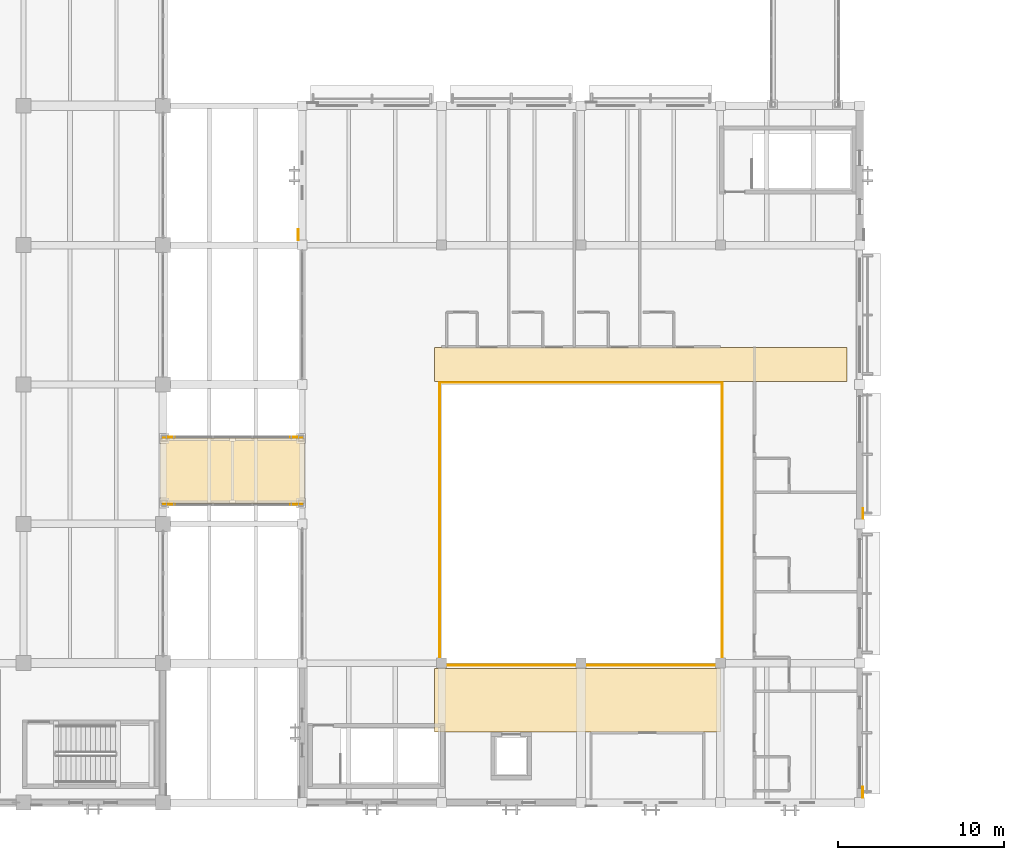
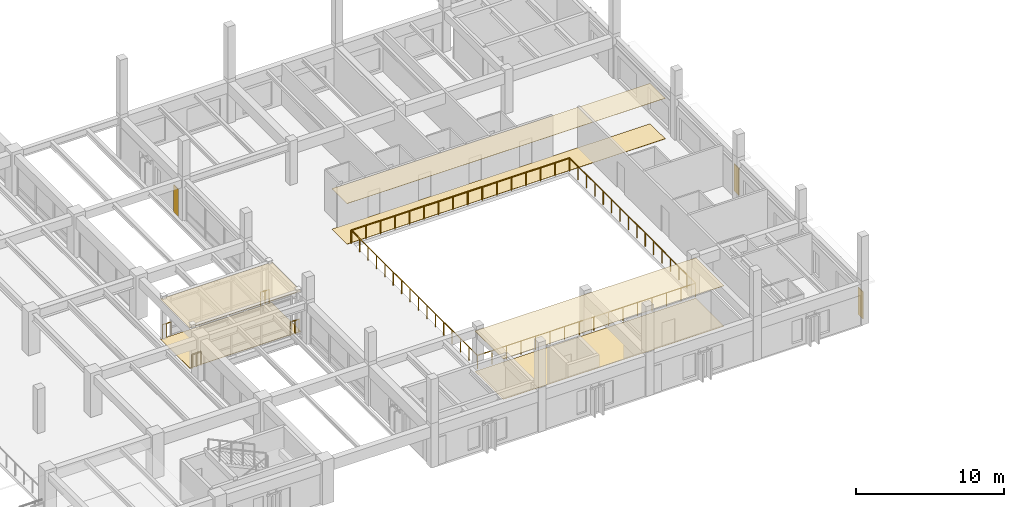
# One storey, part 96 of 118: 9 coverings, 8 railings.
"""IFC4 building model written with IfcOpenShell, lengths in metres."""

import ifcopenshell
import ifcopenshell.guid

model = None  # the IFC model being written
_history = None  # IfcOwnerHistory: only IFC2X3 demands one
_inside = {}  # id of a spatial element -> (the spatial element, [elements in it])
_under = {}  # id of a project, library or spatial element -> (it, [spatial elements below it])
_declared = {}  # id of a project -> (the project, [libraries it declares])
_typed = {}  # id of a type object -> (the type object, [elements of that type])
_made_of = {}  # id of a material, layer set ... -> (it, [elements and type objects made of it])


def new_model(schema):
    """Start an empty IFC model of exactly this schema.

    Asked for "IFC4X3", IfcOpenShell would pick the latest addendum, in which some entities
    have other attributes; the version numbers below select the first issue.
    IFC2X3 requires an IfcOwnerHistory on every rooted entity: one is made here for all.
    """
    global model, _history
    if schema == "IFC4X3":
        model = ifcopenshell.file(schema_version=(4, 3, 0, 0))
    else:
        model = ifcopenshell.file(schema=schema)
    _inside.clear()
    _under.clear()
    _declared.clear()
    _typed.clear()
    _made_of.clear()
    _history = None
    if model.schema == "IFC2X3":
        org = make("IfcOrganization", Name="unknown")
        user = make(
            "IfcPersonAndOrganization",
            ThePerson=make("IfcPerson", FamilyName="unknown"),
            TheOrganization=org,
        )
        app = make(
            "IfcApplication",
            ApplicationDeveloper=org,
            Version="unknown",
            ApplicationFullName="unknown",
            ApplicationIdentifier="unknown",
        )
        _history = make(
            "IfcOwnerHistory",
            OwningUser=user,
            OwningApplication=app,
            ChangeAction="ADDED",
            CreationDate=0,
        )
    return model


def make(cls, **values):
    """One entity of the class cls with the attributes given. An attribute that is None is left unset."""
    return model.create_entity(
        cls, **{name: value for name, value in values.items() if value is not None}
    )


def rooted(cls, **values):
    """An entity with a GlobalId (a new one), such as an element, a storey or a relation."""
    return make(cls, GlobalId=ifcopenshell.guid.new(), OwnerHistory=_history, **values)


def si_unit(unit_type, name, prefix=None):
    """IfcSIUnit, for example si_unit("LENGTHUNIT", "METRE", prefix="MILLI")."""
    return make("IfcSIUnit", UnitType=unit_type, Prefix=prefix, Name=name)


def assignment(units):
    """IfcUnitAssignment: the units of a project."""
    return None if units is None else make("IfcUnitAssignment", Units=units)


def point(xyz):
    """IfcCartesianPoint."""
    return None if xyz is None else make("IfcCartesianPoint", Coordinates=xyz)


def direction(xyz):
    """IfcDirection."""
    return None if xyz is None else make("IfcDirection", DirectionRatios=xyz)


def frame(location, z_axis=None, x_axis=None):
    """IfcAxis2Placement3D, a coordinate frame: its origin and axes. An axis left out is left unset."""
    return make(
        "IfcAxis2Placement3D",
        Location=point(location),
        Axis=direction(z_axis),
        RefDirection=direction(x_axis),
    )


def frame_2d(location, x_axis=None):
    """IfcAxis2Placement2D, a coordinate frame in the plane: its origin and x axis."""
    return make(
        "IfcAxis2Placement2D", Location=point(location), RefDirection=direction(x_axis)
    )


def origin():
    """The frame at (0, 0, 0) with its axes left unset."""
    return frame((0.0, 0.0, 0.0))


def origin_2d():
    """The frame at (0, 0) in the plane with its x axis left unset."""
    return frame_2d((0.0, 0.0))


def place(relative_to, where):
    """IfcLocalPlacement: puts the frame where relative to a parent placement (None: the world)."""
    return make(
        "IfcLocalPlacement", PlacementRelTo=relative_to, RelativePlacement=where
    )


def context(
    kind, dimensions, precision=None, world=None, true_north=None, identifier=None
):
    """IfcGeometricRepresentationContext, for example the 3D "Model" context."""
    return make(
        "IfcGeometricRepresentationContext",
        ContextIdentifier=identifier,
        ContextType=kind,
        CoordinateSpaceDimension=dimensions,
        Precision=precision,
        WorldCoordinateSystem=world,
        TrueNorth=true_north,
    )


def subcontext(parent, identifier, kind, view, scale=None):
    """IfcGeometricRepresentationSubContext, for example "Body" below "Model"."""
    return make(
        "IfcGeometricRepresentationSubContext",
        ContextIdentifier=identifier,
        ContextType=kind,
        ParentContext=parent,
        TargetScale=scale,
        TargetView=view,
    )


def project(units=None, contexts=None):
    """IfcProject with its units and contexts."""
    return rooted(
        "IfcProject",
        Name="project",
        RepresentationContexts=contexts,
        UnitsInContext=assignment(units),
    )


def spatial(cls, under=None, at=None, **own):
    """A site, building, storey or space (cls), placed at a placement, below another one or the project."""
    s = rooted(cls, ObjectPlacement=at, **own)
    if under is not None:
        _under.setdefault(under.id(), (under, []))[1].append(s)
    return s


def polyline(points):
    """IfcPolyline through the points."""
    return make("IfcPolyline", Points=[point(p) for p in points])


def profile(cls, at=None, kind="AREA", **sizes):
    """A parametric profile (cls). Its sizes go by their IFC names, for example OverallWidth=200.0."""
    return make(cls, ProfileType=kind, Position=at, **sizes)


def circle(**sizes):
    """IfcCircleProfileDef."""
    return profile("IfcCircleProfileDef", **sizes)


def outline(outer, holes=None, kind="AREA"):
    """IfcArbitraryClosedProfileDef: a profile drawn as a closed curve; with holes, ...WithVoids."""
    if holes is None:
        return make("IfcArbitraryClosedProfileDef", ProfileType=kind, OuterCurve=outer)
    return make(
        "IfcArbitraryProfileDefWithVoids",
        ProfileType=kind,
        OuterCurve=outer,
        InnerCurves=holes,
    )


def extrude(swept, where, along, depth):
    """IfcExtrudedAreaSolid: the profile swept, set in the frame where, extruded along a direction by depth."""
    return make(
        "IfcExtrudedAreaSolid",
        SweptArea=swept,
        Position=where,
        ExtrudedDirection=direction(along),
        Depth=depth,
    )


def shape(context_of_items, identifier, shape_type, items):
    """IfcShapeRepresentation: the items that make up one representation, for example the "Body"."""
    return make(
        "IfcShapeRepresentation",
        ContextOfItems=context_of_items,
        RepresentationIdentifier=identifier,
        RepresentationType=shape_type,
        Items=items,
    )


def material(Name=None, Category=None):
    """IfcMaterial."""
    return make("IfcMaterial", Name=Name, Category=Category)


def layer(
    of_material, thickness, ventilated=None, Name=None, Category=None, Priority=None
):
    """IfcMaterialLayer: one layer of a wall or slab, of a material (None: an air gap)."""
    return make(
        "IfcMaterialLayer",
        Material=of_material,
        LayerThickness=thickness,
        IsVentilated=ventilated,
        Name=Name,
        Category=Category,
        Priority=Priority,
    )


def layer_set(layers, Name=None):
    """IfcMaterialLayerSet."""
    return make("IfcMaterialLayerSet", MaterialLayers=layers, LayerSetName=Name)


def made_of(thing, what):
    """Note that an element or type object is made of a material, layer set ...; save() writes the relation."""
    if what is not None:
        _made_of.setdefault(what.id(), (what, []))[1].append(thing)
    return thing


def type_object(cls, material=None, **own):
    """A type object (cls), such as IfcWallType, which elements share."""
    return made_of(rooted(cls, **own), material)


def element(
    cls,
    number,
    at=None,
    inside=None,
    cuts=None,
    type_object=None,
    material=None,
    context=None,
    identifier="Body",
    shape_type=None,
    held_by="IfcProductDefinitionShape",
    body=None,
    shapes=None,
    **own,
):
    """One element of the class cls, such as IfcWall. Its Tag is "e" and its number.

    at: its placement. inside: the storey or other place that contains it. cuts: it is an
    opening in that element (IfcRelVoidsElement). A single representation is given by context,
    identifier, shape_type and body (its items); several are given by shapes. held_by: the class
    of the entity that holds the representations. save() writes the other relations.
    """
    e = rooted(cls, Tag="e%d" % number, ObjectPlacement=at, **own)
    if body is not None:
        shapes = [shape(context, identifier, shape_type, body)]
    if shapes is not None:
        e.Representation = make(held_by, Representations=shapes)
    if inside is not None:
        _inside.setdefault(inside.id(), (inside, []))[1].append(e)
    if cuts is not None:
        rooted(
            "IfcRelVoidsElement", RelatingBuildingElement=cuts, RelatedOpeningElement=e
        )
    if type_object is not None:
        _typed.setdefault(type_object.id(), (type_object, []))[1].append(e)
    return made_of(e, material)


def aggregate(whole, parts):
    """IfcRelAggregates: a whole, such as a stair, and the parts it consists of."""
    return rooted("IfcRelAggregates", RelatingObject=whole, RelatedObjects=parts)


def save(model, path):
    """Write the relations noted so far, then the file.

    IfcRelAggregates (storeys below a building ...), IfcRelContainedInSpatialStructure (elements
    in a storey), IfcRelDefinesByType, IfcRelAssociatesMaterial and IfcRelDeclares: one each for
    every whole, place, type object, material and project.
    """
    for whole, parts in _under.values():
        aggregate(whole, parts)
    for where, things in _inside.values():
        rooted(
            "IfcRelContainedInSpatialStructure",
            RelatedElements=things,
            RelatingStructure=where,
        )
    for kind, things in _typed.values():
        rooted("IfcRelDefinesByType", RelatedObjects=things, RelatingType=kind)
    for what, things in _made_of.values():
        rooted("IfcRelAssociatesMaterial", RelatedObjects=things, RelatingMaterial=what)
    for by, libraries in _declared.values():
        rooted("IfcRelDeclares", RelatingContext=by, RelatedDefinitions=libraries)
    model.write(path)


model = new_model("IFC4")

# Units and contexts
model_context = context("Model", 3, precision=1e-05, world=origin(), true_north=direction((0.0, 1.0)))
body_context = subcontext(model_context, "Body", "Model", "MODEL_VIEW")
ifc_project = project(units=[si_unit("LENGTHUNIT", "METRE"), si_unit("AREAUNIT", "SQUARE_METRE"), si_unit("VOLUMEUNIT", "CUBIC_METRE"), si_unit("PLANEANGLEUNIT", "RADIAN"), si_unit("MASSUNIT", "GRAM", prefix="KILO")], contexts=[model_context])

# Site, building, storey
site_placement = place(None, origin())
site = spatial("IfcSite", under=ifc_project, at=site_placement, CompositionType="ELEMENT")
building_placement = place(site_placement, origin())
building = spatial("IfcBuilding", under=site, at=building_placement, Name="Cumbredor Promenade Congress Hotel", CompositionType="ELEMENT")
storey_placement = place(building_placement, frame((0.0, 0.0, 3.919921875)))
storey = spatial("IfcBuildingStorey", under=building, at=storey_placement, Name="L01", CompositionType="ELEMENT", Elevation=3.919921875)

# Coverings
ifc_material_1 = material(Name="Acoustic mineral-fiber and gypsum ceiling")
ifc_layer_1 = layer(ifc_material_1, 0.02197265625, Name="Acoustic mineral-fiber and gypsum ceiling")
ifc_layer_set_1 = layer_set([ifc_layer_1], Name="Acoustic mineral-fiber and gypsum ceiling")
covering_type_1 = type_object("IfcCoveringType", Name="Acoustic Perforated Gypsum Ceiling CLG-02 22mm", PredefinedType="CEILING", material=ifc_layer_set_1)
covering_1_placement = place(storey_placement, frame((0.0, 0.0, 3.338134765625)))
element("IfcCovering", 1, at=covering_1_placement, inside=storey, type_object=covering_type_1, Name="L01 Spa Lift Lobby and South Gallery Corridor Acoustic Ceiling", PredefinedType="CEILING", context=body_context, shape_type="SweptSolid", body=[
    extrude(outline(polyline([(83.580078125, 12.659912109375), (83.580078125, 16.469970703125), (100.820068359375, 16.469970703125), (100.820068359375, 12.659912109375), (83.580078125, 12.659912109375)])), origin(), (0.0, 0.0, 1.0), 0.02197265625),
])
covering_2_placement = place(storey_placement, frame((0.0, 0.0, 3.338134765625)))
element("IfcCovering", 2, at=covering_2_placement, inside=storey, type_object=covering_type_1, Name="L01 Spa Wellness Suites Corridor Acoustic Ceiling", PredefinedType="CEILING", context=body_context, shape_type="SweptSolid", body=[
    extrude(outline(polyline([(83.580078125, 33.780029296875), (83.580078125, 35.820068359375), (108.419921875, 35.820068359375), (108.419921875, 33.780029296875), (83.580078125, 33.780029296875)])), origin(), (0.0, 0.0, 1.0), 0.02197265625),
])
ifc_layer_2 = layer(ifc_material_1, 0.031982421875, Name="Acoustic mineral-fiber and gypsum ceiling")
ifc_layer_set_2 = layer_set([ifc_layer_2], Name="Acoustic mineral-fiber and gypsum ceiling")
covering_type_2 = type_object("IfcCoveringType", Name="Acoustic Perforated Gypsum Ceiling CLG-04 32mm", PredefinedType="CEILING", material=ifc_layer_set_2)
covering_3_placement = place(storey_placement, frame((0.0, 0.0, 3.328125)))
element("IfcCovering", 3, at=covering_3_placement, inside=storey, type_object=covering_type_2, Name="L01 Central Plenary-to-Spa Pool Bridge Concourse Acoustic Ceiling", PredefinedType="CEILING", context=body_context, shape_type="SweptSolid", body=[
    extrude(outline(polyline([(67.06005859375, 26.429931640625), (67.06005859375, 30.3701171875), (75.739990234375, 30.3701171875), (75.739990234375, 26.429931640625), (67.06005859375, 26.429931640625)])), origin(), (0.0, 0.0, 1.0), 0.031982421875),
])
ifc_material_2 = material(Name="Precast concrete C40/50", Category="concrete")
ifc_layer_3 = layer(ifc_material_2, 0.044921875, Name="Precast concrete C40/50", Category="concrete")
ifc_layer_set_3 = layer_set([ifc_layer_3], Name="Precast concrete C40/50")
covering_type_3 = type_object("IfcCoveringType", Name="Board-Formed Architectural Cladding Panel 45mm", PredefinedType="CLADDING", material=ifc_layer_set_3)
covering_4_placement = place(storey_placement, origin())
element("IfcCovering", 4, at=covering_4_placement, inside=storey, type_object=covering_type_3, Name="L01 Facade Stone Cladding Pier 068", PredefinedType="CLADDING", context=body_context, shape_type="SweptSolid", body=[
    extrude(outline(polyline([(109.362548828125, 8.700927734375), (109.362548828125, 9.35107421875), (109.407470703125, 9.35107421875), (109.407470703125, 8.700927734375), (109.362548828125, 8.700927734375)])), origin(), (0.0, 0.0, 1.0), 2.25),
])

# Railings
ifc_material_3 = material(Name="Brushed stainless steel", Category="steel")
railing_type_1 = type_object("IfcRailingType", Name="Interior Void & Stair Guardrail GR-1100", PredefinedType="GUARDRAIL", material=ifc_material_3)
railing_1_placement = place(storey_placement, frame((83.8798828125, 16.679931640625, 0.0)))
element("IfcRailing", 5, at=railing_1_placement, inside=storey, type_object=railing_type_1, Name="L01 v3_spa_pool_void Void Perimeter Guardrail 1", PredefinedType="GUARDRAIL", context=body_context, shape_type="SweptSolid", body=[
    extrude(circle(Radius=0.02392578125, at=origin_2d()), frame((0.0, 0.0, 1.09619140625), z_axis=(1.0, 0.0, 0.0), x_axis=(0.0, 1.0, 0.0)), (0.0, 0.0, 1.0), 17.0400390625),
    extrude(circle(Radius=0.02099609375, at=origin_2d()), origin(), (0.0, 0.0, 1.0), 1.072021484375),
    extrude(circle(Radius=0.02099609375, at=origin_2d()), frame((1.135986328125, 0.0, 0.0)), (0.0, 0.0, 1.0), 1.072021484375),
    extrude(circle(Radius=0.02099609375, at=origin_2d()), frame((2.27197265625, 0.0, 0.0)), (0.0, 0.0, 1.0), 1.072021484375),
    extrude(circle(Radius=0.02099609375, at=origin_2d()), frame((3.407958984375, 0.0, 0.0)), (0.0, 0.0, 1.0), 1.072021484375),
    extrude(circle(Radius=0.02099609375, at=origin_2d()), frame((4.5439453125, 0.0, 0.0)), (0.0, 0.0, 1.0), 1.072021484375),
    extrude(circle(Radius=0.02099609375, at=origin_2d()), frame((5.679931640625, 0.0, 0.0)), (0.0, 0.0, 1.0), 1.072021484375),
    extrude(circle(Radius=0.02099609375, at=origin_2d()), frame((6.81591796875, 0.0, 0.0)), (0.0, 0.0, 1.0), 1.072021484375),
    extrude(circle(Radius=0.02099609375, at=origin_2d()), frame((7.951904296875, 0.0, 0.0)), (0.0, 0.0, 1.0), 1.072021484375),
    extrude(circle(Radius=0.02099609375, at=origin_2d()), frame((9.088134765625, 0.0, 0.0)), (0.0, 0.0, 1.0), 1.072021484375),
    extrude(circle(Radius=0.02099609375, at=origin_2d()), frame((10.22412109375, 0.0, 0.0)), (0.0, 0.0, 1.0), 1.072021484375),
    extrude(circle(Radius=0.02099609375, at=origin_2d()), frame((11.360107421875, 0.0, 0.0)), (0.0, 0.0, 1.0), 1.072021484375),
    extrude(circle(Radius=0.02099609375, at=origin_2d()), frame((12.49609375, 0.0, 0.0)), (0.0, 0.0, 1.0), 1.072021484375),
    extrude(circle(Radius=0.02099609375, at=origin_2d()), frame((13.632080078125, 0.0, 0.0)), (0.0, 0.0, 1.0), 1.072021484375),
    extrude(circle(Radius=0.02099609375, at=origin_2d()), frame((14.76806640625, 0.0, 0.0)), (0.0, 0.0, 1.0), 1.072021484375),
    extrude(circle(Radius=0.02099609375, at=origin_2d()), frame((15.904052734375, 0.0, 0.0)), (0.0, 0.0, 1.0), 1.072021484375),
    extrude(circle(Radius=0.02099609375, at=origin_2d()), frame((17.0400390625, 0.0, 0.0)), (0.0, 0.0, 1.0), 1.072021484375),
])
railing_2_placement = place(storey_placement, frame((100.919921875, 16.679931640625, 0.0)))
element("IfcRailing", 6, at=railing_2_placement, inside=storey, type_object=railing_type_1, Name="L01 v3_spa_pool_void Void Perimeter Guardrail 2", PredefinedType="GUARDRAIL", context=body_context, shape_type="SweptSolid", body=[
    extrude(circle(Radius=0.02392578125, at=origin_2d()), frame((0.0, 0.0, 1.09619140625), z_axis=(0.0, 1.0, 0.0), x_axis=(-1.0, 0.0, 0.0)), (0.0, 0.0, 1.0), 17.0400390625),
    extrude(circle(Radius=0.02099609375, at=origin_2d()), origin(), (0.0, 0.0, 1.0), 1.072021484375),
    extrude(circle(Radius=0.02099609375, at=origin_2d()), frame((0.0, 1.135986328125, 0.0)), (0.0, 0.0, 1.0), 1.072021484375),
    extrude(circle(Radius=0.02099609375, at=origin_2d()), frame((0.0, 2.27197265625, 0.0)), (0.0, 0.0, 1.0), 1.072021484375),
    extrude(circle(Radius=0.02099609375, at=origin_2d()), frame((0.0, 3.407958984375, 0.0)), (0.0, 0.0, 1.0), 1.072021484375),
    extrude(circle(Radius=0.02099609375, at=origin_2d()), frame((0.0, 4.5439453125, 0.0)), (0.0, 0.0, 1.0), 1.072021484375),
    extrude(circle(Radius=0.02099609375, at=origin_2d()), frame((0.0, 5.679931640625, 0.0)), (0.0, 0.0, 1.0), 1.072021484375),
    extrude(circle(Radius=0.02099609375, at=origin_2d()), frame((0.0, 6.81591796875, 0.0)), (0.0, 0.0, 1.0), 1.072021484375),
    extrude(circle(Radius=0.02099609375, at=origin_2d()), frame((0.0, 7.951904296875, 0.0)), (0.0, 0.0, 1.0), 1.072021484375),
    extrude(circle(Radius=0.02099609375, at=origin_2d()), frame((0.0, 9.088134765625, 0.0)), (0.0, 0.0, 1.0), 1.072021484375),
    extrude(circle(Radius=0.02099609375, at=origin_2d()), frame((0.0, 10.22412109375, 0.0)), (0.0, 0.0, 1.0), 1.072021484375),
    extrude(circle(Radius=0.02099609375, at=origin_2d()), frame((0.0, 11.360107421875, 0.0)), (0.0, 0.0, 1.0), 1.072021484375),
    extrude(circle(Radius=0.02099609375, at=origin_2d()), frame((0.0, 12.49609375, 0.0)), (0.0, 0.0, 1.0), 1.072021484375),
    extrude(circle(Radius=0.02099609375, at=origin_2d()), frame((0.0, 13.632080078125, 0.0)), (0.0, 0.0, 1.0), 1.072021484375),
    extrude(circle(Radius=0.02099609375, at=origin_2d()), frame((0.0, 14.76806640625, 0.0)), (0.0, 0.0, 1.0), 1.072021484375),
    extrude(circle(Radius=0.02099609375, at=origin_2d()), frame((0.0, 15.904052734375, 0.0)), (0.0, 0.0, 1.0), 1.072021484375),
    extrude(circle(Radius=0.02099609375, at=origin_2d()), frame((0.0, 17.0400390625, 0.0)), (0.0, 0.0, 1.0), 1.072021484375),
])
railing_3_placement = place(storey_placement, frame((100.919921875, 33.719970703125, 0.0)))
element("IfcRailing", 7, at=railing_3_placement, inside=storey, type_object=railing_type_1, Name="L01 v3_spa_pool_void Void Perimeter Guardrail 3", PredefinedType="GUARDRAIL", context=body_context, shape_type="SweptSolid", body=[
    extrude(circle(Radius=0.02392578125, at=origin_2d()), frame((0.0, 0.0, 1.09619140625), z_axis=(-1.0, 0.0, 0.0), x_axis=(0.0, -1.0, 0.0)), (0.0, 0.0, 1.0), 17.0400390625),
    extrude(circle(Radius=0.02099609375, at=origin_2d()), origin(), (0.0, 0.0, 1.0), 1.072021484375),
    extrude(circle(Radius=0.02099609375, at=origin_2d()), frame((-1.135986328125, 0.0, 0.0)), (0.0, 0.0, 1.0), 1.072021484375),
    extrude(circle(Radius=0.02099609375, at=origin_2d()), frame((-2.27197265625, 0.0, 0.0)), (0.0, 0.0, 1.0), 1.072021484375),
    extrude(circle(Radius=0.02099609375, at=origin_2d()), frame((-3.407958984375, 0.0, 0.0)), (0.0, 0.0, 1.0), 1.072021484375),
    extrude(circle(Radius=0.02099609375, at=origin_2d()), frame((-4.5439453125, 0.0, 0.0)), (0.0, 0.0, 1.0), 1.072021484375),
    extrude(circle(Radius=0.02099609375, at=origin_2d()), frame((-5.679931640625, 0.0, 0.0)), (0.0, 0.0, 1.0), 1.072021484375),
    extrude(circle(Radius=0.02099609375, at=origin_2d()), frame((-6.81591796875, 0.0, 0.0)), (0.0, 0.0, 1.0), 1.072021484375),
    extrude(circle(Radius=0.02099609375, at=origin_2d()), frame((-7.951904296875, 0.0, 0.0)), (0.0, 0.0, 1.0), 1.072021484375),
    extrude(circle(Radius=0.02099609375, at=origin_2d()), frame((-9.088134765625, 0.0, 0.0)), (0.0, 0.0, 1.0), 1.072021484375),
    extrude(circle(Radius=0.02099609375, at=origin_2d()), frame((-10.22412109375, 0.0, 0.0)), (0.0, 0.0, 1.0), 1.072021484375),
    extrude(circle(Radius=0.02099609375, at=origin_2d()), frame((-11.360107421875, 0.0, 0.0)), (0.0, 0.0, 1.0), 1.072021484375),
    extrude(circle(Radius=0.02099609375, at=origin_2d()), frame((-12.49609375, 0.0, 0.0)), (0.0, 0.0, 1.0), 1.072021484375),
    extrude(circle(Radius=0.02099609375, at=origin_2d()), frame((-13.632080078125, 0.0, 0.0)), (0.0, 0.0, 1.0), 1.072021484375),
    extrude(circle(Radius=0.02099609375, at=origin_2d()), frame((-14.76806640625, 0.0, 0.0)), (0.0, 0.0, 1.0), 1.072021484375),
    extrude(circle(Radius=0.02099609375, at=origin_2d()), frame((-15.904052734375, 0.0, 0.0)), (0.0, 0.0, 1.0), 1.072021484375),
    extrude(circle(Radius=0.02099609375, at=origin_2d()), frame((-17.0400390625, 0.0, 0.0)), (0.0, 0.0, 1.0), 1.072021484375),
])
railing_4_placement = place(storey_placement, frame((83.8798828125, 33.719970703125, 0.0)))
element("IfcRailing", 8, at=railing_4_placement, inside=storey, type_object=railing_type_1, Name="L01 v3_spa_pool_void Void Perimeter Guardrail 4", PredefinedType="GUARDRAIL", context=body_context, shape_type="SweptSolid", body=[
    extrude(circle(Radius=0.02392578125, at=origin_2d()), frame((0.0, 0.0, 1.09619140625), z_axis=(0.0, -1.0, 0.0), x_axis=(1.0, 0.0, 0.0)), (0.0, 0.0, 1.0), 17.0400390625),
    extrude(circle(Radius=0.02099609375, at=origin_2d()), origin(), (0.0, 0.0, 1.0), 1.072021484375),
    extrude(circle(Radius=0.02099609375, at=origin_2d()), frame((0.0, -1.135986328125, 0.0)), (0.0, 0.0, 1.0), 1.072021484375),
    extrude(circle(Radius=0.02099609375, at=origin_2d()), frame((0.0, -2.27197265625, 0.0)), (0.0, 0.0, 1.0), 1.072021484375),
    extrude(circle(Radius=0.02099609375, at=origin_2d()), frame((0.0, -3.407958984375, 0.0)), (0.0, 0.0, 1.0), 1.072021484375),
    extrude(circle(Radius=0.02099609375, at=origin_2d()), frame((0.0, -4.5439453125, 0.0)), (0.0, 0.0, 1.0), 1.072021484375),
    extrude(circle(Radius=0.02099609375, at=origin_2d()), frame((0.0, -5.679931640625, 0.0)), (0.0, 0.0, 1.0), 1.072021484375),
    extrude(circle(Radius=0.02099609375, at=origin_2d()), frame((0.0, -6.81591796875, 0.0)), (0.0, 0.0, 1.0), 1.072021484375),
    extrude(circle(Radius=0.02099609375, at=origin_2d()), frame((0.0, -7.951904296875, 0.0)), (0.0, 0.0, 1.0), 1.072021484375),
    extrude(circle(Radius=0.02099609375, at=origin_2d()), frame((0.0, -9.088134765625, 0.0)), (0.0, 0.0, 1.0), 1.072021484375),
    extrude(circle(Radius=0.02099609375, at=origin_2d()), frame((0.0, -10.22412109375, 0.0)), (0.0, 0.0, 1.0), 1.072021484375),
    extrude(circle(Radius=0.02099609375, at=origin_2d()), frame((0.0, -11.360107421875, 0.0)), (0.0, 0.0, 1.0), 1.072021484375),
    extrude(circle(Radius=0.02099609375, at=origin_2d()), frame((0.0, -12.49609375, 0.0)), (0.0, 0.0, 1.0), 1.072021484375),
    extrude(circle(Radius=0.02099609375, at=origin_2d()), frame((0.0, -13.632080078125, 0.0)), (0.0, 0.0, 1.0), 1.072021484375),
    extrude(circle(Radius=0.02099609375, at=origin_2d()), frame((0.0, -14.76806640625, 0.0)), (0.0, 0.0, 1.0), 1.072021484375),
    extrude(circle(Radius=0.02099609375, at=origin_2d()), frame((0.0, -15.904052734375, 0.0)), (0.0, 0.0, 1.0), 1.072021484375),
    extrude(circle(Radius=0.02099609375, at=origin_2d()), frame((0.0, -17.0400390625, 0.0)), (0.0, 0.0, 1.0), 1.072021484375),
])

# Coverings
ifc_material_4 = material(Name="Porcelain stoneware tile", Category="masonry")
ifc_layer_4 = layer(ifc_material_4, 0.02001953125, Name="Porcelain stoneware tile", Category="masonry")
ifc_layer_set_4 = layer_set([ifc_layer_4], Name="Porcelain stoneware tile")
covering_type_4 = type_object("IfcCoveringType", Name="Porcelain Stoneware Flooring FLR-01 20mm", PredefinedType="FLOORING", material=ifc_layer_set_4)
covering_5_placement = place(storey_placement, origin())
element("IfcCovering", 9, at=covering_5_placement, inside=storey, type_object=covering_type_4, Name="L01 Spa Lift Lobby and South Gallery Corridor Porcelain Flooring", PredefinedType="FLOORING", context=body_context, shape_type="SweptSolid", body=[
    extrude(outline(polyline([(83.580078125, 12.659912109375), (83.580078125, 16.469970703125), (100.820068359375, 16.469970703125), (100.820068359375, 12.659912109375), (83.580078125, 12.659912109375)])), origin(), (0.0, 0.0, 1.0), 0.02001953125),
])
covering_6_placement = place(storey_placement, origin())
element("IfcCovering", 10, at=covering_6_placement, inside=storey, type_object=covering_type_4, Name="L01 Spa Wellness Suites Corridor Porcelain Flooring", PredefinedType="FLOORING", context=body_context, shape_type="SweptSolid", body=[
    extrude(outline(polyline([(83.580078125, 33.780029296875), (83.580078125, 35.820068359375), (108.419921875, 35.820068359375), (108.419921875, 33.780029296875), (83.580078125, 33.780029296875)])), origin(), (0.0, 0.0, 1.0), 0.02001953125),
])
ifc_layer_5 = layer(ifc_material_4, 0.02490234375, Name="Porcelain stoneware tile", Category="masonry")
ifc_layer_set_5 = layer_set([ifc_layer_5], Name="Porcelain stoneware tile")
covering_type_5 = type_object("IfcCoveringType", Name="Porcelain Stoneware Flooring FLR-02 25mm", PredefinedType="FLOORING", material=ifc_layer_set_5)
covering_7_placement = place(storey_placement, origin())
element("IfcCovering", 11, at=covering_7_placement, inside=storey, type_object=covering_type_5, Name="L01 Central Plenary-to-Spa Pool Bridge Concourse Porcelain Flooring", PredefinedType="FLOORING", context=body_context, shape_type="SweptSolid", body=[
    extrude(outline(polyline([(67.06005859375, 26.429931640625), (67.06005859375, 30.3701171875), (75.739990234375, 30.3701171875), (75.739990234375, 26.429931640625), (67.06005859375, 26.429931640625)])), origin(), (0.0, 0.0, 1.0), 0.025146484375),
])

# Railings
railing_type_2 = type_object("IfcRailingType", Name="Sky Garden Glass-and-Steel Balustrade BAL-1150", PredefinedType="BALUSTRADE", material=ifc_material_3)
for number, where, name in (
    (12, (67.22998046875, 26.3798828125, 0.0), "L01 Central Plenary-to-Spa Pool Bridge End Guardrail WS"),
    (13, (67.22998046875, 30.419921875, 0.0), "L01 Central Plenary-to-Spa Pool Bridge End Guardrail WN"),
):
    element("IfcRailing", number, at=place(storey_placement, frame(where)), inside=storey, type_object=railing_type_2, Name=name, PredefinedType="BALUSTRADE", context=body_context, shape_type="SweptSolid", body=[
        extrude(circle(Radius=0.02392578125, at=origin_2d()), frame((0.0, 0.0, 1.1259765625), z_axis=(1.0, 0.0, 0.0), x_axis=(0.0, 1.0, 0.0)), (0.0, 0.0, 1.0), 0.669921875),
        extrude(circle(Radius=0.02099609375, at=origin_2d()), origin(), (0.0, 0.0, 1.0), 1.101806640625),
        extrude(circle(Radius=0.02099609375, at=origin_2d()), frame((0.3349609375, 0.0, 0.0)), (0.0, 0.0, 1.0), 1.101806640625),
        extrude(circle(Radius=0.02099609375, at=origin_2d()), frame((0.669921875, 0.0, 0.0)), (0.0, 0.0, 1.0), 1.101806640625),
    ])
for number, where, name in (
    (14, (74.89990234375, 26.3798828125, 0.0), "L01 Central Plenary-to-Spa Pool Bridge End Guardrail ES"),
    (15, (74.89990234375, 30.419921875, 0.0), "L01 Central Plenary-to-Spa Pool Bridge End Guardrail EN"),
):
    element("IfcRailing", number, at=place(storey_placement, frame(where)), inside=storey, type_object=railing_type_2, Name=name, PredefinedType="BALUSTRADE", context=body_context, shape_type="SweptSolid", body=[
        extrude(circle(Radius=0.02392578125, at=origin_2d()), frame((0.0, 0.0, 1.1259765625), z_axis=(1.0, 0.0, 0.0), x_axis=(0.0, 1.0, 0.0)), (0.0, 0.0, 1.0), 0.670166015625),
        extrude(circle(Radius=0.02099609375, at=origin_2d()), origin(), (0.0, 0.0, 1.0), 1.101806640625),
        extrude(circle(Radius=0.02099609375, at=origin_2d()), frame((0.3349609375, 0.0, 0.0)), (0.0, 0.0, 1.0), 1.101806640625),
        extrude(circle(Radius=0.02099609375, at=origin_2d()), frame((0.670166015625, 0.0, 0.0)), (0.0, 0.0, 1.0), 1.101806640625),
    ])

# Coverings
ifc_material_5 = material(Name="Volcanic andesite ashlar cladding", Category="masonry")
ifc_layer_6 = layer(ifc_material_5, 0.034912109375, Name="Volcanic andesite ashlar cladding", Category="masonry")
ifc_layer_set_6 = layer_set([ifc_layer_6], Name="Volcanic andesite ashlar cladding")
covering_type_6 = type_object("IfcCoveringType", Name="Volcanic Andesite Ashlar Rainscreen Cladding 35mm", PredefinedType="CLADDING", material=ifc_layer_set_6)
covering_8_placement = place(storey_placement, origin())
element("IfcCovering", 16, at=covering_8_placement, inside=storey, type_object=covering_type_6, Name="L01 Facade Stone Cladding Pier 067", PredefinedType="CLADDING", context=body_context, shape_type="SweptSolid", body=[
    extrude(outline(polyline([(75.375, 42.301025390625), (75.375, 42.950927734375), (75.340087890625, 42.950927734375), (75.340087890625, 42.301025390625), (75.375, 42.301025390625)])), origin(), (0.0, 0.0, 1.0), 2.25),
])
covering_9_placement = place(storey_placement, origin())
element("IfcCovering", 17, at=covering_9_placement, inside=storey, type_object=covering_type_6, Name="L01 Facade Stone Cladding Pier 069", PredefinedType="CLADDING", context=body_context, shape_type="SweptSolid", body=[
    extrude(outline(polyline([(109.389892578125, 25.5009765625), (109.389892578125, 26.15087890625), (109.425048828125, 26.15087890625), (109.425048828125, 25.5009765625), (109.389892578125, 25.5009765625)])), origin(), (0.0, 0.0, 1.0), 2.25),
])

save(model, "model.ifc")
